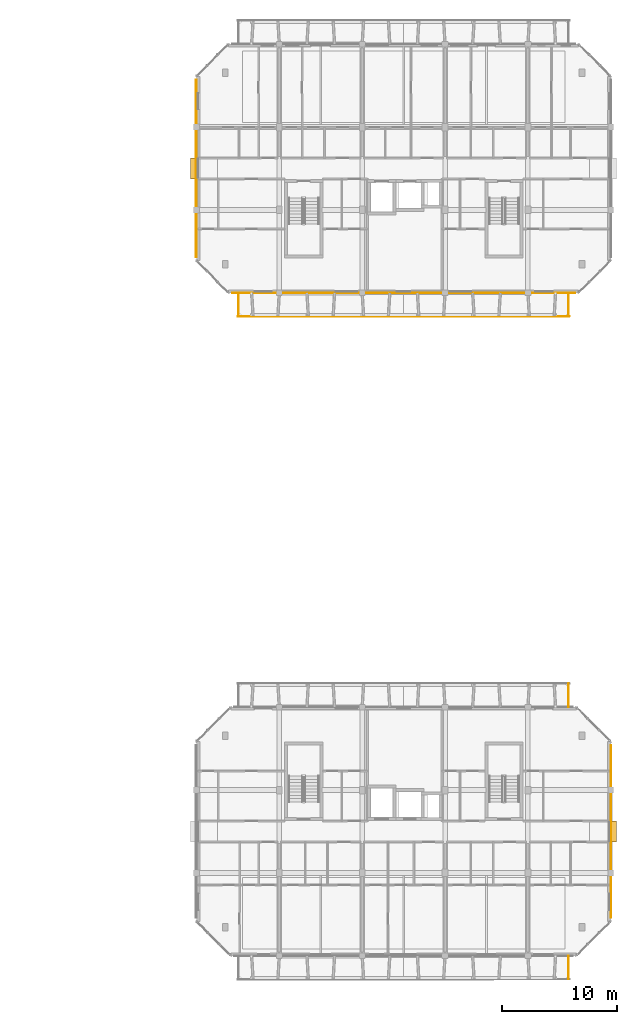
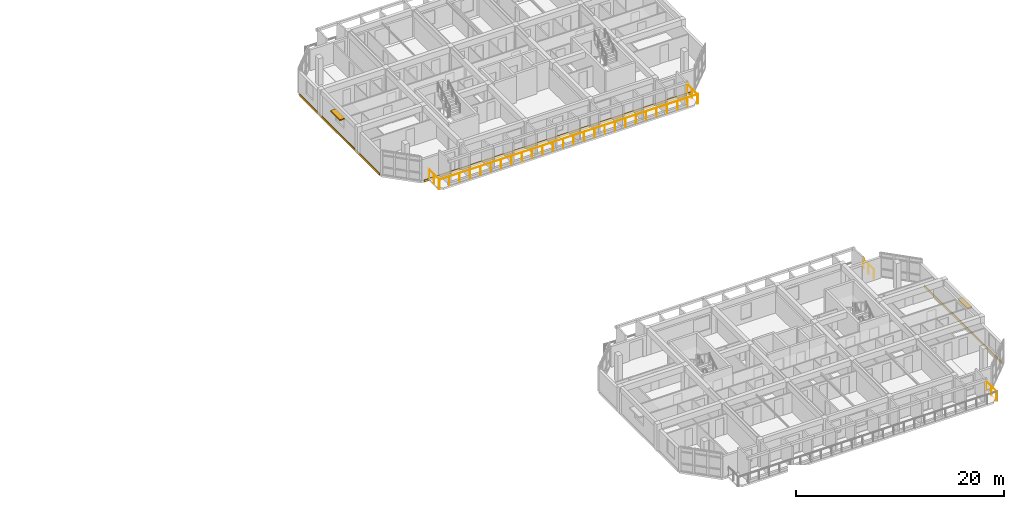
# One storey, part 38 of 40: 5 railings, 3 coverings, 2 shading devices.
"""IFC4 building model written with IfcOpenShell, lengths in metres."""

from ifc_helpers import new_model, si_unit, direction, frame, origin, origin_2d, place, context, subcontext, project, spatial, rectangle, circle, extrude, material, layer, layer_set, type_object, element, save


model = new_model("IFC4")

# Units and contexts
model_context = context("Model", 3, precision=1e-05, world=origin(), true_north=direction((0.0, 1.0)))
body_context = subcontext(model_context, "Body", "Model", "MODEL_VIEW")
ifc_project = project(units=[si_unit("LENGTHUNIT", "METRE"), si_unit("AREAUNIT", "SQUARE_METRE"), si_unit("VOLUMEUNIT", "CUBIC_METRE"), si_unit("PLANEANGLEUNIT", "RADIAN"), si_unit("MASSUNIT", "GRAM", prefix="KILO")], contexts=[model_context])

# Site, building, storey
site_placement = place(None, origin())
site = spatial("IfcSite", under=ifc_project, at=site_placement, CompositionType="ELEMENT")
building_placement = place(site_placement, origin())
building = spatial("IfcBuilding", under=site, at=building_placement, Name="Ochrevale Crest", CompositionType="ELEMENT")
storey_placement = place(building_placement, frame((0.0, 0.0, 27.60009765625)))
storey = spatial("IfcBuildingStorey", under=building, at=storey_placement, Name="L08", CompositionType="ELEMENT", Elevation=27.60009765625)

# Coverings
ifc_material_1 = material(Name="Glazed terracotta rainscreen tile", Category="masonry")
ifc_layer = layer(ifc_material_1, 0.048095703125)
ifc_layer_set = layer_set([ifc_layer], Name="Glazed terracotta rainscreen tile")
covering_type = type_object("IfcCoveringType", Name="COV-CLAD-TER", PredefinedType="CLADDING", material=ifc_layer_set)
covering_1_placement = place(storey_placement, frame((165.614501953125, 25.199951171875, -0.26025390625), z_axis=(0.0, 0.0, 1.0), x_axis=(0.0, 1.0, 0.0)))
element("IfcCovering", 1, at=covering_1_placement, inside=storey, type_object=covering_type, Name="Block C L08 terracotta slab-edge spandrel cladding", PredefinedType="CLADDING", context=body_context, shape_type="SweptSolid", body=[
    extrude(rectangle(XDim=15.0, YDim=0.06005859375, at=origin_2d()), origin(), (0.0, 0.0, 1.0), 0.280029296875),
])
covering_2_placement = place(storey_placement, frame((147.60009765625, 71.987548828125, -0.26025390625), z_axis=(0.0, 0.0, 1.0), x_axis=(1.0, 0.0, 0.0)))
element("IfcCovering", 2, at=covering_2_placement, inside=storey, type_object=covering_type, Name="Block D L08 terracotta slab-edge spandrel cladding", PredefinedType="CLADDING", context=body_context, shape_type="SweptSolid", body=[
    extrude(rectangle(XDim=29.800048828125, YDim=0.06005859375, at=origin_2d()), origin(), (0.0, 0.0, 1.0), 0.280029296875),
])
covering_3_placement = place(storey_placement, frame((129.58544921875, 82.800048828125, -0.26025390625), z_axis=(0.0, 0.0, 1.0), x_axis=(0.0, -1.0, 0.0)))
element("IfcCovering", 3, at=covering_3_placement, inside=storey, type_object=covering_type, Name="Block D L08 terracotta slab-edge spandrel cladding", PredefinedType="CLADDING", context=body_context, shape_type="SweptSolid", body=[
    extrude(rectangle(XDim=15.39990234375, YDim=0.06005859375, at=origin_2d()), origin(), (0.0, 0.0, 1.0), 0.280029296875),
])

# Railings
ifc_material_2 = material(Name="Galvanised steel", Category="steel")
railing_type = type_object("IfcRailingType", Name="RL-BAL-1100", PredefinedType="BALUSTRADE", material=ifc_material_2)
railing_1_placement = place(storey_placement, frame((161.93994140625, 14.39990234375, 0.0)))
element("IfcRailing", 4, at=railing_1_placement, inside=storey, type_object=railing_type, Name="Block C L08 S-E balcony side guard", PredefinedType="BALUSTRADE", context=body_context, shape_type="SweptSolid", body=[
    extrude(circle(Radius=0.02392578125, at=origin_2d()), frame((0.0, 0.0, 1.0859375), z_axis=(0.0, -1.0, 0.0), x_axis=(1.0, 0.0, 0.0)), (0.0, 0.0, 1.0), 2.039794921875),
    extrude(circle(Radius=0.02099609375, at=origin_2d()), origin(), (0.0, 0.0, 1.0), 1.06201171875),
    extrude(circle(Radius=0.02099609375, at=origin_2d()), frame((0.0, -1.02001953125, 0.0)), (0.0, 0.0, 1.0), 1.06201171875),
    extrude(circle(Radius=0.02099609375, at=origin_2d()), frame((0.0, -2.039794921875, 0.0)), (0.0, 0.0, 1.0), 1.06201171875),
])
railing_2_placement = place(storey_placement, frame((161.93994140625, 36.0, 0.0)))
element("IfcRailing", 5, at=railing_2_placement, inside=storey, type_object=railing_type, Name="Block C L08 N-E balcony side guard", PredefinedType="BALUSTRADE", context=body_context, shape_type="SweptSolid", body=[
    extrude(circle(Radius=0.02392578125, at=origin_2d()), frame((0.0, 0.0, 1.0859375), z_axis=(0.0, 1.0, 0.0), x_axis=(-1.0, 0.0, 0.0)), (0.0, 0.0, 1.0), 2.0400390625),
    extrude(circle(Radius=0.02099609375, at=origin_2d()), origin(), (0.0, 0.0, 1.0), 1.06201171875),
    extrude(circle(Radius=0.02099609375, at=origin_2d()), frame((0.0, 1.02001953125, 0.0)), (0.0, 0.0, 1.0), 1.06201171875),
    extrude(circle(Radius=0.02099609375, at=origin_2d()), frame((0.0, 2.0400390625, 0.0)), (0.0, 0.0, 1.0), 1.06201171875),
])
railing_3_placement = place(storey_placement, frame((133.199951171875, 69.9599609375, 0.0)))
element("IfcRailing", 6, at=railing_3_placement, inside=storey, type_object=railing_type, Name="Block D L08 S balcony front balustrade", PredefinedType="BALUSTRADE", context=body_context, shape_type="SweptSolid", body=[
    extrude(circle(Radius=0.02392578125, at=origin_2d()), frame((0.0, 0.0, 1.0859375), z_axis=(1.0, 0.0, 0.0), x_axis=(0.0, 1.0, 0.0)), (0.0, 0.0, 1.0), 28.800048828125),
    extrude(circle(Radius=0.02099609375, at=origin_2d()), origin(), (0.0, 0.0, 1.0), 1.06201171875),
    extrude(circle(Radius=0.02099609375, at=origin_2d()), frame((1.152099609375, 0.0, 0.0)), (0.0, 0.0, 1.0), 1.06201171875),
    extrude(circle(Radius=0.02099609375, at=origin_2d()), frame((2.303955078125, 0.0, 0.0)), (0.0, 0.0, 1.0), 1.06201171875),
    extrude(circle(Radius=0.02099609375, at=origin_2d()), frame((3.4560546875, 0.0, 0.0)), (0.0, 0.0, 1.0), 1.06201171875),
    extrude(circle(Radius=0.02099609375, at=origin_2d()), frame((4.60791015625, 0.0, 0.0)), (0.0, 0.0, 1.0), 1.06201171875),
    extrude(circle(Radius=0.02099609375, at=origin_2d()), frame((5.760009765625, 0.0, 0.0)), (0.0, 0.0, 1.0), 1.06201171875),
    extrude(circle(Radius=0.02099609375, at=origin_2d()), frame((6.912109375, 0.0, 0.0)), (0.0, 0.0, 1.0), 1.06201171875),
    extrude(circle(Radius=0.02099609375, at=origin_2d()), frame((8.06396484375, 0.0, 0.0)), (0.0, 0.0, 1.0), 1.06201171875),
    extrude(circle(Radius=0.02099609375, at=origin_2d()), frame((9.216064453125, 0.0, 0.0)), (0.0, 0.0, 1.0), 1.06201171875),
    extrude(circle(Radius=0.02099609375, at=origin_2d()), frame((10.367919921875, 0.0, 0.0)), (0.0, 0.0, 1.0), 1.06201171875),
    extrude(circle(Radius=0.02099609375, at=origin_2d()), frame((11.52001953125, 0.0, 0.0)), (0.0, 0.0, 1.0), 1.06201171875),
    extrude(circle(Radius=0.02099609375, at=origin_2d()), frame((12.672119140625, 0.0, 0.0)), (0.0, 0.0, 1.0), 1.06201171875),
    extrude(circle(Radius=0.02099609375, at=origin_2d()), frame((13.823974609375, 0.0, 0.0)), (0.0, 0.0, 1.0), 1.06201171875),
    extrude(circle(Radius=0.02099609375, at=origin_2d()), frame((14.97607421875, 0.0, 0.0)), (0.0, 0.0, 1.0), 1.06201171875),
    extrude(circle(Radius=0.02099609375, at=origin_2d()), frame((16.1279296875, 0.0, 0.0)), (0.0, 0.0, 1.0), 1.06201171875),
    extrude(circle(Radius=0.02099609375, at=origin_2d()), frame((17.280029296875, 0.0, 0.0)), (0.0, 0.0, 1.0), 1.06201171875),
    extrude(circle(Radius=0.02099609375, at=origin_2d()), frame((18.43212890625, 0.0, 0.0)), (0.0, 0.0, 1.0), 1.06201171875),
    extrude(circle(Radius=0.02099609375, at=origin_2d()), frame((19.583984375, 0.0, 0.0)), (0.0, 0.0, 1.0), 1.06201171875),
    extrude(circle(Radius=0.02099609375, at=origin_2d()), frame((20.736083984375, 0.0, 0.0)), (0.0, 0.0, 1.0), 1.06201171875),
    extrude(circle(Radius=0.02099609375, at=origin_2d()), frame((21.887939453125, 0.0, 0.0)), (0.0, 0.0, 1.0), 1.06201171875),
    extrude(circle(Radius=0.02099609375, at=origin_2d()), frame((23.0400390625, 0.0, 0.0)), (0.0, 0.0, 1.0), 1.06201171875),
    extrude(circle(Radius=0.02099609375, at=origin_2d()), frame((24.192138671875, 0.0, 0.0)), (0.0, 0.0, 1.0), 1.06201171875),
    extrude(circle(Radius=0.02099609375, at=origin_2d()), frame((25.343994140625, 0.0, 0.0)), (0.0, 0.0, 1.0), 1.06201171875),
    extrude(circle(Radius=0.02099609375, at=origin_2d()), frame((26.49609375, 0.0, 0.0)), (0.0, 0.0, 1.0), 1.06201171875),
    extrude(circle(Radius=0.02099609375, at=origin_2d()), frame((27.64794921875, 0.0, 0.0)), (0.0, 0.0, 1.0), 1.06201171875),
    extrude(circle(Radius=0.02099609375, at=origin_2d()), frame((28.800048828125, 0.0, 0.0)), (0.0, 0.0, 1.0), 1.06201171875),
])
for number, where, name in (
    (7, (133.260009765625, 72.0, 0.0), "Block D L08 S-W balcony side guard"),
    (8, (161.93994140625, 72.0, 0.0), "Block D L08 S-E balcony side guard"),
):
    element("IfcRailing", number, at=place(storey_placement, frame(where)), inside=storey, type_object=railing_type, Name=name, PredefinedType="BALUSTRADE", context=body_context, shape_type="SweptSolid", body=[
        extrude(circle(Radius=0.02392578125, at=origin_2d()), frame((0.0, 0.0, 1.0859375), z_axis=(0.0, -1.0, 0.0), x_axis=(1.0, 0.0, 0.0)), (0.0, 0.0, 1.0), 2.0400390625),
        extrude(circle(Radius=0.02099609375, at=origin_2d()), origin(), (0.0, 0.0, 1.0), 1.06201171875),
        extrude(circle(Radius=0.02099609375, at=origin_2d()), frame((0.0, -1.02001953125, 0.0)), (0.0, 0.0, 1.0), 1.06201171875),
        extrude(circle(Radius=0.02099609375, at=origin_2d()), frame((0.0, -2.0400390625, 0.0)), (0.0, 0.0, 1.0), 1.06201171875),
    ])

# Shading devices
ifc_material_3 = material(Name="Anodised aluminium 6063-T5", Category="aluminium")
shading_device_type = type_object("IfcShadingDeviceType", Name="SHD-SUNSHADE-OC", PredefinedType="USERDEFINED", material=ifc_material_3)
for number, where, z_axis, x_axis, name in (
    (9, (165.840087890625, 25.199951171875, 2.2099609375), (0.0, 0.0, 1.0), (1.0, 0.0, 0.0), "Block C L08 gable window sunshade E"),
    (10, (129.360107421875, 82.800048828125, 2.2099609375), (0.0, 0.0, 1.0), (1.0, 0.0, 0.0), "Block D L08 gable window sunshade W"),
):
    element("IfcShadingDevice", number, at=place(storey_placement, frame(where, z_axis=z_axis, x_axis=x_axis)), inside=storey, type_object=shading_device_type, Name=name, ObjectType="HORIZONTAL SUNSHADE", PredefinedType="USERDEFINED", context=body_context, shape_type="SweptSolid", body=[
        extrude(rectangle(XDim=0.550048828125, YDim=1.800048828125, at=origin_2d()), origin(), (0.0, 0.0, 1.0), 0.139892578125),
    ])

save(model, "model.ifc")
